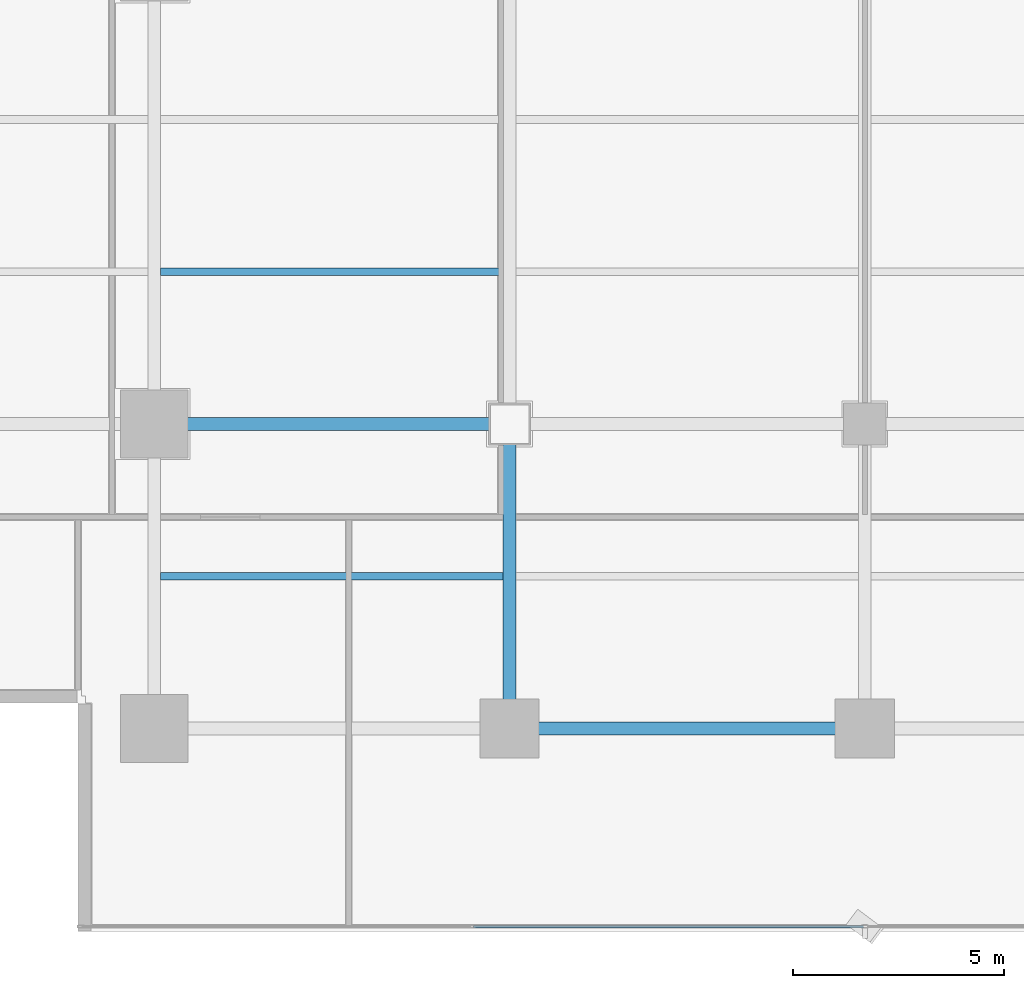
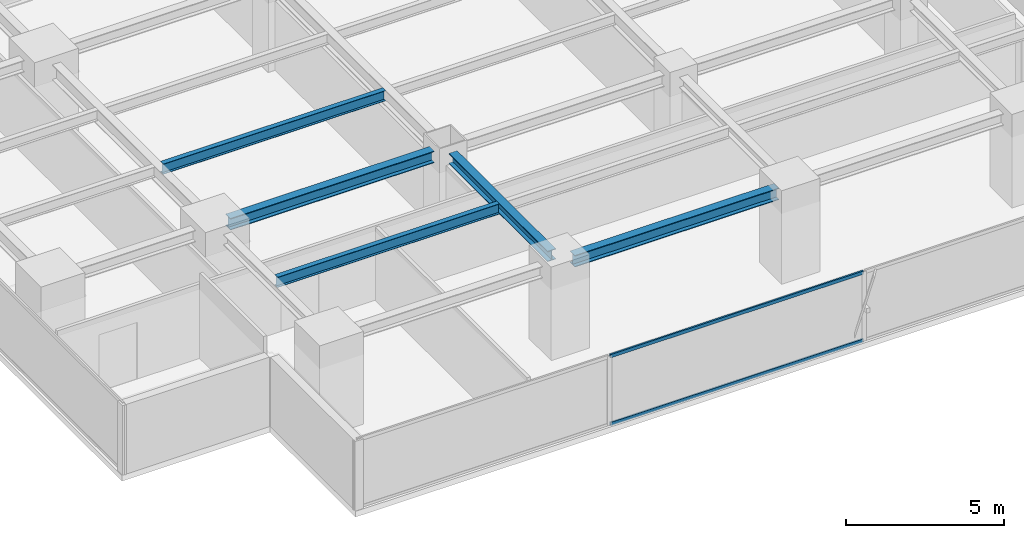
# One storey, part 4 of 28: 5 beams, 2 members, 1 element without a shape of its own.
"""IFC4 building model written with IfcOpenShell, lengths in metres."""

from ifc_helpers import new_model, si_unit, direction, frame, origin, origin_2d, place, context, subcontext, project, spatial, hollow_rectangle, i_section, extrude, source, transform, mapped, material, layer, layer_set, material_profile, profile_set, type_object, element, aggregate, save


model = new_model("IFC4")

# Units and contexts
model_context = context("Model", 3, precision=1e-05, world=origin(), true_north=direction((0.0, 1.0)))
body_context = subcontext(model_context, "Body", "Model", "MODEL_VIEW")
ifc_project = project(units=[si_unit("LENGTHUNIT", "METRE"), si_unit("AREAUNIT", "SQUARE_METRE"), si_unit("VOLUMEUNIT", "CUBIC_METRE"), si_unit("PLANEANGLEUNIT", "RADIAN"), si_unit("MASSUNIT", "GRAM", prefix="KILO")], contexts=[model_context])

# Site, building, storey
site_placement = place(None, origin())
site = spatial("IfcSite", under=ifc_project, at=site_placement, CompositionType="ELEMENT")
building_placement = place(site_placement, origin())
building = spatial("IfcBuilding", under=site, at=building_placement, Name="Sumidabori Civic Tower", CompositionType="ELEMENT")
storey_placement = place(building_placement, frame((0.0, 0.0, 185.60009765625)))
storey = spatial("IfcBuildingStorey", under=building, at=storey_placement, Name="L48", CompositionType="ELEMENT", Elevation=185.60009765625)

# Beams
ifc_material_1 = material(Name="Steel SN490", Category="steel")
ifc_material_profile_1 = material_profile(ifc_material_1, i_section(OverallWidth=0.300048828125, OverallDepth=0.39990234375, WebThickness=0.013427734375, FlangeThickness=0.02392578125, at=origin_2d()), Name="HE 400 B")
ifc_profile_set_1 = profile_set([ifc_material_profile_1], Name="Steel SN490")
beam_type_1 = type_object("IfcBeamType", Name="BM-GIRD-400", PredefinedType="BEAM", material=ifc_profile_set_1)
shared_shape_1 = source(origin(), body_context, "Body", "SweptSolid", [
    extrude(i_section(OverallWidth=0.300048828125, OverallDepth=0.39990234375, WebThickness=0.013427734375, FlangeThickness=0.02392578125, at=origin_2d()), origin(), (0.0, 0.0, 1.0), 6.239990234375),
])
beam_1_placement = place(storey_placement, frame((-8.39990234375, -17.52001953125, 3.099853515625), z_axis=(0.0, 1.0, 0.0), x_axis=(-1.0, 0.0, 0.0)))
element("IfcBeam", 1, at=beam_1_placement, inside=storey, type_object=beam_type_1, Name="Primary Girder L48 GY-26", PredefinedType="BEAM", context=body_context, shape_type="MappedRepresentation", body=[
    mapped(shared_shape_1, transform((0.0, 0.0, 0.0), x_axis=(1.0, 0.0, 0.0), y_axis=(0.0, 1.0, 0.0), z_axis=(0.0, 0.0, 1.0), scale=1.0)),
])
ifc_material_profile_2 = material_profile(ifc_material_1, i_section(OverallWidth=0.179931640625, OverallDepth=0.39990234375, WebThickness=0.008544921875, FlangeThickness=0.013427734375, at=origin_2d()), Name="IPE 400")
ifc_profile_set_2 = profile_set([ifc_material_profile_2], Name="Steel SN490")
beam_type_2 = type_object("IfcBeamType", Name="BM-JST-400", PredefinedType="JOIST", material=ifc_profile_set_2)
shared_shape_2 = source(origin(), body_context, "Body", "SweptSolid", [
    extrude(i_section(OverallWidth=0.179931640625, OverallDepth=0.39990234375, WebThickness=0.008544921875, FlangeThickness=0.013427734375, at=origin_2d()), origin(), (0.0, 0.0, 1.0), 8.099853515625),
])
for number, where, z_axis, x_axis, name in (
    (2, (-16.64990234375, -14.39990234375, 3.099853515625), (1.0, 0.0, 0.0), (0.0, 1.0, 0.0), "South Bay Floor Joist L48 JSTS-49"),
    (3, (-16.64990234375, -7.199951171875, 3.099853515625), (1.0, 0.0, 0.0), (0.0, 1.0, 0.0), "South Bay Floor Joist L48 JSTS-53"),
):
    element("IfcBeam", number, at=place(storey_placement, frame(where, z_axis=z_axis, x_axis=x_axis)), inside=storey, type_object=beam_type_2, Name=name, PredefinedType="JOIST", context=body_context, shape_type="MappedRepresentation", body=[
        mapped(shared_shape_2, transform((0.0, 0.0, 0.0), x_axis=(1.0, 0.0, 0.0), y_axis=(0.0, 1.0, 0.0), z_axis=(0.0, 0.0, 1.0), scale=1.0)),
    ])
ifc_material_profile_3 = material_profile(ifc_material_1, i_section(OverallWidth=0.300048828125, OverallDepth=0.449951171875, WebThickness=0.013916015625, FlangeThickness=0.02587890625, at=origin_2d()), Name="HE 450 B")
ifc_profile_set_3 = profile_set([ifc_material_profile_3], Name="Steel SN490")
beam_type_3 = type_object("IfcBeamType", Name="BM-GIRD-450", PredefinedType="BEAM", material=ifc_profile_set_3)
shared_shape_3 = source(origin(), body_context, "Body", "SweptSolid", [
    extrude(i_section(OverallWidth=0.300048828125, OverallDepth=0.449951171875, WebThickness=0.013916015625, FlangeThickness=0.02587890625, at=origin_2d()), origin(), (0.0, 0.0, 1.0), 7.440185546875),
])
beam_2_placement = place(storey_placement, frame((-16.320068359375, -10.800048828125, 3.074951171875), z_axis=(1.0, 0.0, 0.0), x_axis=(0.0, 1.0, 0.0)))
element("IfcBeam", 4, at=beam_2_placement, inside=storey, type_object=beam_type_3, Name="Primary Girder L48 GX-06", PredefinedType="BEAM", context=body_context, shape_type="MappedRepresentation", body=[
    mapped(shared_shape_3, transform((0.0, 0.0, 0.0), x_axis=(1.0, 0.0, 0.0), y_axis=(0.0, 1.0, 0.0), z_axis=(0.0, 0.0, 1.0), scale=1.0)),
])
shared_shape_4 = source(origin(), body_context, "Body", "SweptSolid", [
    extrude(i_section(OverallWidth=0.300048828125, OverallDepth=0.449951171875, WebThickness=0.013916015625, FlangeThickness=0.02587890625, at=origin_2d()), origin(), (0.0, 0.0, 1.0), 7.43994140625),
])
beam_3_placement = place(storey_placement, frame((-7.919921875, -18.0, 3.074951171875), z_axis=(1.0, 0.0, 0.0), x_axis=(0.0, 1.0, 0.0)))
element("IfcBeam", 5, at=beam_3_placement, inside=storey, type_object=beam_type_3, Name="Primary Girder L48 GX-02", PredefinedType="BEAM", context=body_context, shape_type="MappedRepresentation", body=[
    mapped(shared_shape_4, transform((0.0, 0.0, 0.0), x_axis=(1.0, 0.0, 0.0), y_axis=(0.0, 1.0, 0.0), z_axis=(0.0, 0.0, 1.0), scale=1.0)),
])

# Curtain wall, members
ifc_material_2 = material(Name="Anodised Bronze Aluminium AW-6063-T6", Category="aluminium")
ifc_layer = layer(ifc_material_2, 0.179931640625, Name="Anodised Bronze Aluminium AW-6063-T6")
ifc_layer_set = layer_set([ifc_layer], Name="Anodised Bronze Aluminium AW-6063-T6")
curtain_wall_type = type_object("IfcCurtainWallType", Name="CW-SYS-3", PredefinedType="NOTDEFINED", material=ifc_layer_set)
curtain_wall_placement = place(storey_placement, origin())
curtain_wall = element("IfcCurtainWall", 6, at=curtain_wall_placement, inside=storey, type_object=curtain_wall_type, Name="Curtain Wall CW:L48:R01", PredefinedType="NOTDEFINED")
ifc_material_profile_4 = material_profile(ifc_material_2, hollow_rectangle(XDim=0.06005859375, YDim=0.1298828125, WallThickness=0.0048828125, at=origin_2d()), Name="ALU TRANSOM 130x60")
ifc_profile_set_4 = profile_set([ifc_material_profile_4], Name="Anodised Bronze Aluminium AW-6063-T6")
member_type = type_object("IfcMemberType", Name="CW-TRN-130", PredefinedType="USERDEFINED", material=ifc_profile_set_4)
shared_shape_5 = source(origin(), body_context, "Body", "SweptSolid", [
    extrude(hollow_rectangle(XDim=0.06005859375, YDim=0.1298828125, WallThickness=0.0048828125, at=origin_2d()), origin(), (0.0, 0.0, 1.0), 9.219970703125),
])
member_1_placement = place(storey_placement, frame((-9.25244140625, -22.679931640625, 0.02978515625), z_axis=(1.0, 0.0, 0.0), x_axis=(0.0, 1.0, 0.0)))
member_1 = element("IfcMember", 7, at=member_1_placement, type_object=member_type, Name="CW-3 transom 2.1", ObjectType="TRANSOM", PredefinedType="USERDEFINED", context=body_context, shape_type="MappedRepresentation", body=[
    mapped(shared_shape_5, transform((0.0, 0.0, 0.0), x_axis=(1.0, 0.0, 0.0), y_axis=(0.0, 1.0, 0.0), z_axis=(0.0, 0.0, 1.0), scale=1.0)),
])
member_2_placement = place(storey_placement, frame((-9.25244140625, -22.679931640625, 2.64990234375), z_axis=(1.0, 0.0, 0.0), x_axis=(0.0, 1.0, 0.0)))
member_2 = element("IfcMember", 8, at=member_2_placement, type_object=member_type, Name="CW-3 transom 2.2", ObjectType="TRANSOM", PredefinedType="USERDEFINED", context=body_context, shape_type="MappedRepresentation", body=[
    mapped(shared_shape_5, transform((0.0, 0.0, 0.0), x_axis=(1.0, 0.0, 0.0), y_axis=(0.0, 1.0, 0.0), z_axis=(0.0, 0.0, 1.0), scale=1.0)),
])
aggregate(curtain_wall, [member_1, member_2])

save(model, "model.ifc")
